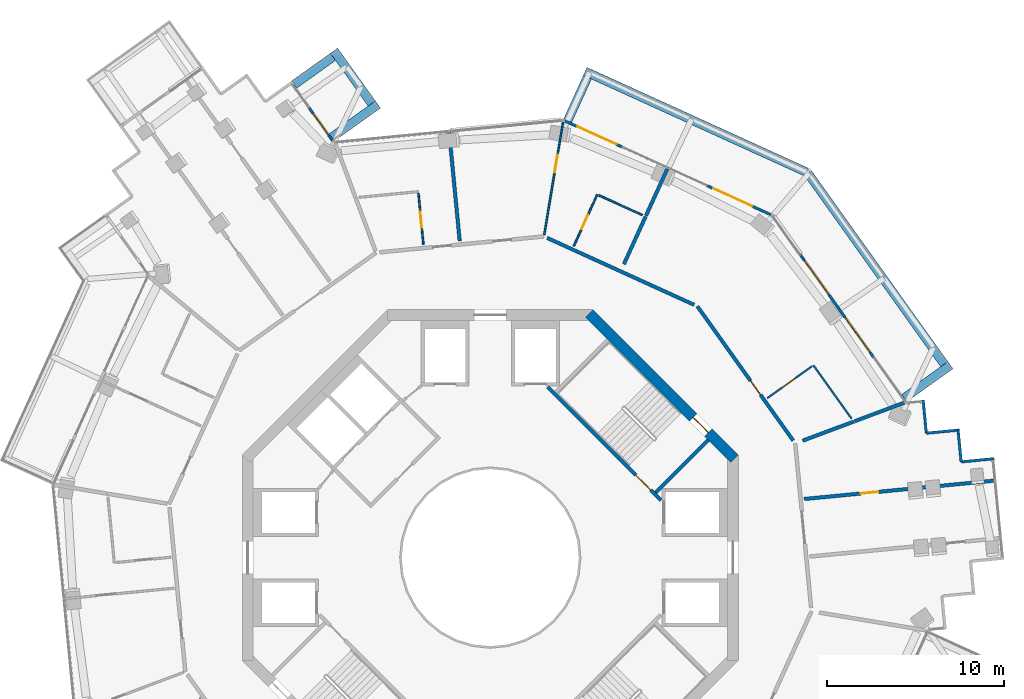
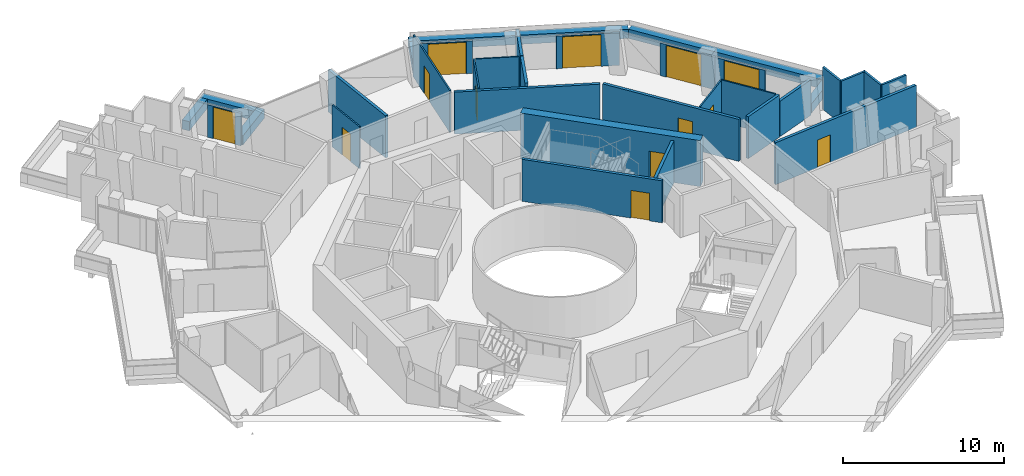
# One storey, part 19 of 22: 33 walls, 13 doors, 13 openings.
"""IFC4 building model written with IfcOpenShell, lengths in metres."""

from ifc_helpers import new_model, si_unit, direction, frame, frame_2d, origin, place, context, subcontext, project, spatial, rectangle, extrude, material, layer, layer_set, type_object, element, fill, save


model = new_model("IFC4")

# Units and contexts
model_context = context("Model", 3, precision=1e-05, world=origin(), true_north=direction((0.0, 1.0)))
body_context = subcontext(model_context, "Body", "Model", "MODEL_VIEW")
ifc_project = project(units=[si_unit("LENGTHUNIT", "METRE"), si_unit("AREAUNIT", "SQUARE_METRE"), si_unit("VOLUMEUNIT", "CUBIC_METRE"), si_unit("PLANEANGLEUNIT", "RADIAN"), si_unit("MASSUNIT", "GRAM", prefix="KILO")], contexts=[model_context])

# Site, building, storey
site_placement = place(None, origin())
site = spatial("IfcSite", under=ifc_project, at=site_placement, CompositionType="ELEMENT")
building_placement = place(site_placement, origin())
building = spatial("IfcBuilding", under=site, at=building_placement, Name="Verdalira Terraces Hotel", CompositionType="ELEMENT")
storey_placement = place(building_placement, frame((0.0, 0.0, 180.0)))
storey = spatial("IfcBuildingStorey", under=building, at=storey_placement, Name="L43", CompositionType="ELEMENT", Elevation=180.0)

# Walls
ifc_material_1 = material(Name="Concrete C40", Category="concrete")
ifc_layer_1 = layer(ifc_material_1, 0.5)
ifc_layer_set_1 = layer_set([ifc_layer_1], Name="Balcony planter trough with tree")
wall_type_1 = type_object("IfcWallType", Name="Balcony planter trough with tree", PredefinedType="SOLIDWALL", material=ifc_layer_set_1)
wall_1_placement = place(storey_placement, frame((23.376221, 9.007324, 0.0), z_axis=(0.0, 0.0, 1.0), x_axis=(0.813882991, 0.581028808, 0.0)))
element("IfcWall", 1, at=wall_1_placement, inside=storey, type_object=wall_type_1, Name="Balcony planter", PredefinedType="SOLIDWALL", context=body_context, shape_type="SweptSolid", body=[
    extrude(rectangle(XDim=3.198975, YDim=0.5, at=frame_2d((1.599609, 0.0))), origin(), (0.0, 0.0, 1.0), 0.699951),
])
wall_2_placement = place(storey_placement, frame((25.631104, 10.924316, 0.0), z_axis=(0.0, 0.0, 1.0), x_axis=(-0.580986673, 0.81391307, 0.0)))
element("IfcWall", 2, at=wall_2_placement, inside=storey, type_object=wall_type_1, Name="Balcony planter", PredefinedType="SOLIDWALL", context=body_context, shape_type="SweptSolid", body=[
    extrude(rectangle(XDim=13.223389, YDim=0.5, at=frame_2d((6.611816, 0.0))), origin(), (0.0, 0.0, 1.0), 0.699951),
])
wall_3_placement = place(storey_placement, frame((17.848633, 21.769287, 0.0), z_axis=(0.0, 0.0, 1.0), x_axis=(-0.910109197, 0.414368494, 0.0)))
element("IfcWall", 3, at=wall_3_placement, inside=storey, type_object=wall_type_1, Name="Balcony planter", PredefinedType="SOLIDWALL", context=body_context, shape_type="SweptSolid", body=[
    extrude(rectangle(XDim=13.723389, YDim=0.5, at=frame_2d((6.861816, 0.0))), origin(), (0.0, 0.0, 1.0), 0.699951),
])
wall_4_placement = place(storey_placement, frame((5.482666, 27.124756, 0.0), z_axis=(0.0, 0.0, 1.0), x_axis=(-0.414388978, -0.910099871, 0.0)))
element("IfcWall", 4, at=wall_4_placement, inside=storey, type_object=wall_type_1, Name="Balcony planter", PredefinedType="SOLIDWALL", context=body_context, shape_type="SweptSolid", body=[
    extrude(rectangle(XDim=2.698975, YDim=0.5, at=frame_2d((1.349609, 0.0))), origin(), (0.0, 0.0, 1.0), 0.699951),
])
wall_5_placement = place(storey_placement, frame((-8.947754, 23.724609, 0.0), z_axis=(0.0, 0.0, 1.0), x_axis=(0.813908754, 0.580992719, 0.0)))
element("IfcWall", 5, at=wall_5_placement, inside=storey, type_object=wall_type_1, Name="Balcony planter", PredefinedType="SOLIDWALL", context=body_context, shape_type="SweptSolid", body=[
    extrude(rectangle(XDim=3.198975, YDim=0.5, at=frame_2d((1.599609, 0.0))), origin(), (0.0, 0.0, 1.0), 0.699951),
])
wall_6_placement = place(storey_placement, frame((-6.692871, 25.641357, 0.0), z_axis=(0.0, 0.0, 1.0), x_axis=(-0.580960956, 0.813931427, 0.0)))
element("IfcWall", 6, at=wall_6_placement, inside=storey, type_object=wall_type_1, Name="Balcony planter", PredefinedType="SOLIDWALL", context=body_context, shape_type="SweptSolid", body=[
    extrude(rectangle(XDim=3.665771, YDim=0.5, at=frame_2d((1.833008, 0.0))), origin(), (0.0, 0.0, 1.0), 0.699951),
])
wall_7_placement = place(storey_placement, frame((-8.880859, 28.276367, 0.0), z_axis=(0.0, 0.0, 1.0), x_axis=(-0.813910676, -0.580990028, 0.0)))
element("IfcWall", 7, at=wall_7_placement, inside=storey, type_object=wall_type_1, Name="Balcony planter", PredefinedType="SOLIDWALL", context=body_context, shape_type="SweptSolid", body=[
    extrude(rectangle(XDim=2.698975, YDim=0.5, at=frame_2d((1.349609, 0.0))), origin(), (0.0, 0.0, 1.0), 0.699951),
])

# Wall, opening, door
ifc_material_2 = material(Name="Moisture-resistant gypsum board partition")
ifc_layer_2 = layer(ifc_material_2, 0.10009765625)
ifc_layer_set_2 = layer_set([ifc_layer_2], Name="Bathroom partition 100 mm")
wall_type_2 = type_object("IfcWallType", Name="Bathroom partition 100 mm", PredefinedType="PARTITIONING", material=ifc_layer_set_2)
wall_8_placement = place(storey_placement, frame((-3.776367, 17.677002, 0.0), z_axis=(0.0, 0.0, 1.0), x_axis=(-0.096135868, 0.995368221, 0.0)))
wall_8 = element("IfcWall", 8, at=wall_8_placement, inside=storey, type_object=wall_type_2, Name="Bathroom partition", PredefinedType="PARTITIONING", context=body_context, shape_type="SweptSolid", body=[
    extrude(rectangle(XDim=2.900146, YDim=0.100098, at=frame_2d((1.450195, 0.0))), origin(), (0.0, 0.0, 1.0), 3.189941),
])
opening_1_placement = place(wall_8_placement, frame((0.949951, 0.0, 0.0)))
opening_1 = element("IfcOpeningElement", 9, at=opening_1_placement, cuts=wall_8, Name="Opening L43-131", PredefinedType="OPENING", context=body_context, shape_type="SweptSolid", body=[
    extrude(rectangle(XDim=0.899902, YDim=2.100098, at=frame_2d((0.449951, 1.050049))), frame((0.0, 0.060059, 0.0), z_axis=(0.0, -1.0, 0.0), x_axis=(1.0, 0.0, 0.0)), (0.0, 0.0, 1.0), 0.120117),
])
ifc_material_3 = material(Name="Timber door", Category="wood")
door_type_1 = type_object("IfcDoorType", Name="Bathroom door 900 x 2100", OperationType="NOTDEFINED", PredefinedType="DOOR", material=ifc_material_3)
door_1_placement = place(opening_1_placement, origin())
door_1 = element("IfcDoor", 10, at=door_1_placement, inside=storey, type_object=door_type_1, Name="Bathroom door 4311", OperationType="SINGLE_SWING_RIGHT", OverallHeight=2.10009765625, OverallWidth=0.89990234375, PredefinedType="DOOR", context=body_context, shape_type="SweptSolid", body=[
    extrude(rectangle(XDim=0.899902, YDim=2.100098, at=frame_2d((0.449951, 1.050049))), frame((0.0, 0.024902, 0.0), z_axis=(0.0, -1.0, 0.0), x_axis=(1.0, 0.0, 0.0)), (0.0, 0.0, 1.0), 0.050049),
])
fill(opening_1, door_1)

wall_9_placement = place(storey_placement, frame((4.111816, 24.623047, 0.0), z_axis=(0.0, 0.0, 1.0), x_axis=(-0.164716892, -0.986340887, 0.0)))
wall_9 = element("IfcWall", 11, at=wall_9_placement, inside=storey, type_object=wall_type_2, Name="Bathroom partition", PredefinedType="PARTITIONING", context=body_context, shape_type="SweptSolid", body=[
    extrude(rectangle(XDim=6.475586, YDim=0.100098, at=frame_2d((3.237793, 0.0))), origin(), (0.0, 0.0, 1.0), 3.189941),
])
opening_2_placement = place(wall_9_placement, frame((1.899902, 0.0, 0.0)))
opening_2 = element("IfcOpeningElement", 12, at=opening_2_placement, cuts=wall_9, Name="Opening L43-128", PredefinedType="OPENING", context=body_context, shape_type="SweptSolid", body=[
    extrude(rectangle(XDim=1.0, YDim=2.100098, at=frame_2d((0.5, 1.050049))), frame((0.0, 0.060059, 0.0), z_axis=(0.0, -1.0, 0.0), x_axis=(1.0, 0.0, 0.0)), (0.0, 0.0, 1.0), 0.120117),
])
ifc_material_4 = material(Name="Timber door", Category="wood")
door_type_2 = type_object("IfcDoorType", Name="Suite internal door 1000 x 2100", OperationType="NOTDEFINED", PredefinedType="DOOR", material=ifc_material_4)
door_2_placement = place(opening_2_placement, origin())
door_2 = element("IfcDoor", 13, at=door_2_placement, inside=storey, type_object=door_type_2, Name="Suite internal door 4310", OperationType="SINGLE_SWING_LEFT", OverallHeight=2.10009765625, OverallWidth=1.0, PredefinedType="DOOR", context=body_context, shape_type="SweptSolid", body=[
    extrude(rectangle(XDim=1.0, YDim=2.100098, at=frame_2d((0.5, 1.050049))), frame((0.0, 0.024902, 0.0), z_axis=(0.0, -1.0, 0.0), x_axis=(1.0, 0.0, 0.0)), (0.0, 0.0, 1.0), 0.050049),
])
fill(opening_2, door_2)

wall_10_placement = place(storey_placement, frame((6.037109, 20.499512, 0.0), z_axis=(0.0, 0.0, 1.0), x_axis=(-0.414354696, -0.910115479, 0.0)))
wall_10 = element("IfcWall", 14, at=wall_10_placement, inside=storey, type_object=wall_type_2, Name="Bathroom partition", PredefinedType="PARTITIONING", context=body_context, shape_type="SweptSolid", body=[
    extrude(rectangle(XDim=3.199951, YDim=0.100098, at=frame_2d((1.600098, 0.0))), origin(), (0.0, 0.0, 1.0), 3.189941),
])
opening_3_placement = place(wall_10_placement, frame((1.25, 0.0, 0.0)))
opening_3 = element("IfcOpeningElement", 15, at=opening_3_placement, cuts=wall_10, Name="Opening L43-129", PredefinedType="OPENING", context=body_context, shape_type="SweptSolid", body=[
    extrude(rectangle(XDim=0.899902, YDim=2.100098, at=frame_2d((0.449951, 1.050049))), frame((0.0, 0.060059, 0.0), z_axis=(0.0, -1.0, 0.0), x_axis=(1.0, 0.0, 0.0)), (0.0, 0.0, 1.0), 0.120117),
])
door_3_placement = place(opening_3_placement, origin())
door_3 = element("IfcDoor", 16, at=door_3_placement, inside=storey, type_object=door_type_1, Name="Bathroom door 4310", OperationType="SINGLE_SWING_LEFT", OverallHeight=2.10009765625, OverallWidth=0.89990234375, PredefinedType="DOOR", context=body_context, shape_type="SweptSolid", body=[
    extrude(rectangle(XDim=0.899902, YDim=2.100098, at=frame_2d((0.449951, 1.050049))), frame((0.0, 0.024902, 0.0), z_axis=(0.0, -1.0, 0.0), x_axis=(1.0, 0.0, 0.0)), (0.0, 0.0, 1.0), 0.050049),
])
fill(opening_3, door_3)

# Wall
wall_11_placement = place(storey_placement, frame((8.585449, 19.339111, 0.0), z_axis=(0.0, 0.0, 1.0), x_axis=(-0.910093777, 0.414402362, 0.0)))
element("IfcWall", 17, at=wall_11_placement, inside=storey, type_object=wall_type_2, Name="Bathroom partition", PredefinedType="PARTITIONING", context=body_context, shape_type="SweptSolid", body=[
    extrude(rectangle(XDim=2.699951, YDim=0.100098, at=frame_2d((1.350098, 0.0))), origin(), (0.0, 0.0, 1.0), 3.189941),
])

# Wall, opening, door
wall_12_placement = place(storey_placement, frame((18.161133, 10.803467, 0.0), z_axis=(0.0, 0.0, 1.0), x_axis=(-0.813898407, -0.581007214, 0.0)))
wall_12 = element("IfcWall", 18, at=wall_12_placement, inside=storey, type_object=wall_type_2, Name="Bathroom partition", PredefinedType="PARTITIONING", context=body_context, shape_type="SweptSolid", body=[
    extrude(rectangle(XDim=3.099854, YDim=0.100098, at=frame_2d((1.549805, 0.0))), origin(), (0.0, 0.0, 1.0), 3.189941),
])
opening_4_placement = place(wall_12_placement, frame((1.149902, 0.0, 0.0)))
opening_4 = element("IfcOpeningElement", 19, at=opening_4_placement, cuts=wall_12, Name="Opening L43-126", PredefinedType="OPENING", context=body_context, shape_type="SweptSolid", body=[
    extrude(rectangle(XDim=0.899902, YDim=2.100098, at=frame_2d((0.449951, 1.050049))), frame((0.0, 0.060059, 0.0), z_axis=(0.0, -1.0, 0.0), x_axis=(1.0, 0.0, 0.0)), (0.0, 0.0, 1.0), 0.120117),
])
door_4_placement = place(opening_4_placement, origin())
door_4 = element("IfcDoor", 20, at=door_4_placement, inside=storey, type_object=door_type_1, Name="Bathroom door 4309", OperationType="SINGLE_SWING_LEFT", OverallHeight=2.10009765625, OverallWidth=0.89990234375, PredefinedType="DOOR", context=body_context, shape_type="SweptSolid", body=[
    extrude(rectangle(XDim=0.899902, YDim=2.100098, at=frame_2d((0.449951, 1.050049))), frame((0.0, 0.024902, 0.0), z_axis=(0.0, -1.0, 0.0), x_axis=(1.0, 0.0, 0.0)), (0.0, 0.0, 1.0), 0.050049),
])
fill(opening_4, door_4)

# Wall
wall_13_placement = place(storey_placement, frame((18.242676, 10.861572, 0.0), z_axis=(0.0, 0.0, 1.0), x_axis=(0.580976284, -0.813920486, 0.0)))
element("IfcWall", 21, at=wall_13_placement, inside=storey, type_object=wall_type_2, Name="Bathroom partition", PredefinedType="PARTITIONING", context=body_context, shape_type="SweptSolid", body=[
    extrude(rectangle(XDim=3.703857, YDim=0.100098, at=frame_2d((1.852051, 0.0))), origin(), (0.0, 0.0, 1.0), 3.189941),
])

# Wall, opening, door
ifc_material_5 = material(Name="Concrete C50", Category="concrete")
ifc_layer_3 = layer(ifc_material_5, 0.199951171875)
ifc_layer_set_3 = layer_set([ifc_layer_3], Name="Core RC wall 200 C50")
wall_type_3 = type_object("IfcWallType", Name="Core RC wall 200 C50", PredefinedType="SOLIDWALL", material=ifc_layer_set_3)
wall_14_placement = place(storey_placement, frame((3.23999, 9.629395, 0.0), z_axis=(0.0, 0.0, 1.0), x_axis=(0.707106781, -0.707106781, 0.0)))
wall_14 = element("IfcWall", 22, at=wall_14_placement, inside=storey, type_object=wall_type_3, Name="L43 stair ST1 front wall", PredefinedType="SOLIDWALL", context=body_context, shape_type="SweptSolid", body=[
    extrude(rectangle(XDim=9.035889, YDim=0.199951, at=frame_2d((4.518066, 0.0))), origin(), (0.0, 0.0, 1.0), 3.189941),
])
opening_5_placement = place(wall_14_placement, frame((7.017822, 0.0, 0.0)))
opening_5 = element("IfcOpeningElement", 23, at=opening_5_placement, cuts=wall_14, Name="Opening L43-810", PredefinedType="OPENING", context=body_context, shape_type="SweptSolid", body=[
    extrude(rectangle(XDim=1.199951, YDim=2.100098, at=frame_2d((0.600098, 1.050049))), frame((0.0, 0.109863, 0.0), z_axis=(0.0, -1.0, 0.0), x_axis=(1.0, 0.0, 0.0)), (0.0, 0.0, 1.0), 0.219971),
])
ifc_material_6 = material(Name="Steel fire door", Category="steel")
door_type_3 = type_object("IfcDoorType", Name="Stair door 1200 x 2100", OperationType="NOTDEFINED", PredefinedType="DOOR", material=ifc_material_6)
door_5_placement = place(opening_5_placement, origin())
door_5 = element("IfcDoor", 24, at=door_5_placement, inside=storey, type_object=door_type_3, Name="Stair door ST1 L43", OperationType="SINGLE_SWING_RIGHT", OverallHeight=2.10009765625, OverallWidth=1.199951171875, PredefinedType="DOOR", context=body_context, shape_type="SweptSolid", body=[
    extrude(rectangle(XDim=1.199951, YDim=2.100098, at=frame_2d((0.600098, 1.050049))), frame((0.0, 0.024902, 0.0), z_axis=(0.0, -1.0, 0.0), x_axis=(1.0, 0.0, 0.0)), (0.0, 0.0, 1.0), 0.050049),
])
fill(opening_5, door_5)

# Wall
wall_15_placement = place(storey_placement, frame((9.33374, 3.677002, 0.0), z_axis=(0.0, 0.0, 1.0), x_axis=(0.707135845, 0.707077716, 0.0)))
element("IfcWall", 25, at=wall_15_placement, inside=storey, type_object=wall_type_3, Name="L43 stair ST1 end wall 1", PredefinedType="SOLIDWALL", context=body_context, shape_type="SweptSolid", body=[
    extrude(rectangle(XDim=4.199951, YDim=0.199951, at=frame_2d((2.100098, 0.0))), origin(), (0.0, 0.0, 1.0), 3.189941),
])

# Wall, opening, door
ifc_material_7 = material(Name="Concrete C60", Category="concrete")
ifc_layer_4 = layer(ifc_material_7, 0.60009765625)
ifc_layer_set_4 = layer_set([ifc_layer_4], Name="Core wall 600 C60")
wall_type_4 = type_object("IfcWallType", Name="Core wall 600 C60", PredefinedType="SHEAR", material=ifc_layer_set_4)
wall_16_placement = place(storey_placement, frame((13.787842, 5.586914, 0.0), z_axis=(0.0, 0.0, 1.0), x_axis=(-0.707106781, 0.707106781, 0.0)))
wall_16 = element("IfcWall", 26, at=wall_16_placement, inside=storey, type_object=wall_type_4, Name="Core wall CW-L43-2", PredefinedType="SHEAR", context=body_context, shape_type="SweptSolid", body=[
    extrude(rectangle(XDim=11.5979, YDim=0.600098, at=frame_2d((5.798828, 0.0))), origin(), (0.0, 0.0, 1.0), 3.5),
])
opening_6_placement = place(wall_16_placement, frame((2.099121, 0.0, 0.0)))
opening_6 = element("IfcOpeningElement", 27, at=opening_6_placement, cuts=wall_16, Name="Opening L43-816", PredefinedType="OPENING", context=body_context, shape_type="SweptSolid", body=[
    extrude(rectangle(XDim=1.199951, YDim=2.100098, at=frame_2d((0.600098, 1.050049))), frame((0.0, 0.310059, 0.0), z_axis=(0.0, -1.0, 0.0), x_axis=(1.0, 0.0, 0.0)), (0.0, 0.0, 1.0), 0.620117),
])
door_6_placement = place(opening_6_placement, origin())
door_6 = element("IfcDoor", 28, at=door_6_placement, inside=storey, type_object=door_type_3, Name="Stair exit door ST1 L43", OperationType="SINGLE_SWING_LEFT", OverallHeight=2.10009765625, OverallWidth=1.199951171875, PredefinedType="DOOR", context=body_context, shape_type="SweptSolid", body=[
    extrude(rectangle(XDim=1.199951, YDim=2.100098, at=frame_2d((0.600098, 1.050049))), frame((0.0, 0.024902, 0.0), z_axis=(0.0, -1.0, 0.0), x_axis=(1.0, 0.0, 0.0)), (0.0, 0.0, 1.0), 0.050049),
])
fill(opening_6, door_6)

# Walls
ifc_material_8 = material(Name="Fire-rated gypsum board wall")
ifc_layer_5 = layer(ifc_material_8, 0.199951171875)
ifc_layer_set_5 = layer_set([ifc_layer_5], Name="Demising wall 200 mm")
wall_type_5 = type_object("IfcWallType", Name="Demising wall 200 mm", PredefinedType="SOLIDWALL", material=ifc_layer_set_5)
wall_17_placement = place(storey_placement, frame((-1.727539, 17.875, 0.0), z_axis=(0.0, 0.0, 1.0), x_axis=(-0.096185909, 0.995363386, 0.0)))
element("IfcWall", 29, at=wall_17_placement, inside=storey, type_object=wall_type_5, Name="Demising wall", PredefinedType="SOLIDWALL", context=body_context, shape_type="SweptSolid", body=[
    extrude(rectangle(XDim=6.150146, YDim=0.199951, at=frame_2d((3.075195, 0.0))), origin(), (0.0, 0.0, 1.0), 3.189941),
])
wall_18_placement = place(storey_placement, frame((7.543945, 16.569092, 0.0), z_axis=(0.0, 0.0, 1.0), x_axis=(0.414394291, 0.910097452, 0.0)))
element("IfcWall", 30, at=wall_18_placement, inside=storey, type_object=wall_type_5, Name="Demising wall", PredefinedType="SOLIDWALL", context=body_context, shape_type="SweptSolid", body=[
    extrude(rectangle(XDim=2.95459, YDim=0.199951, at=frame_2d((1.477295, 0.0))), origin(), (0.0, 0.0, 1.0), 3.189941),
])
wall_19_placement = place(storey_placement, frame((8.787354, 19.300049, 0.0), z_axis=(0.0, 0.0, 1.0), x_axis=(0.414411335, 0.910089691, 0.0)))
element("IfcWall", 31, at=wall_19_placement, inside=storey, type_object=wall_type_5, Name="Demising wall", PredefinedType="SOLIDWALL", context=body_context, shape_type="SweptSolid", body=[
    extrude(rectangle(XDim=2.9021, YDim=0.199951, at=frame_2d((1.451172, 0.0))), origin(), (0.0, 0.0, 1.0), 3.189941),
])
wall_20_placement = place(storey_placement, frame((17.637207, 6.601318, 0.0), z_axis=(0.0, 0.0, 1.0), x_axis=(0.936531348, 0.350583848, 0.0)))
element("IfcWall", 32, at=wall_20_placement, inside=storey, type_object=wall_type_5, Name="Demising wall", PredefinedType="SOLIDWALL", context=body_context, shape_type="SweptSolid", body=[
    extrude(rectangle(XDim=3.074463, YDim=0.199951, at=frame_2d((1.537109, 0.0))), origin(), (0.0, 0.0, 1.0), 3.189941),
])

# Wall, opening, door
wall_21_placement = place(storey_placement, frame((17.722168, 3.309082, 0.0), z_axis=(0.0, 0.0, 1.0), x_axis=(0.995363981, 0.096179759, 0.0)))
wall_21 = element("IfcWall", 33, at=wall_21_placement, inside=storey, type_object=wall_type_5, Name="Demising wall", PredefinedType="SOLIDWALL", context=body_context, shape_type="SweptSolid", body=[
    extrude(rectangle(XDim=10.75, YDim=0.199951, at=frame_2d((5.375, 0.0))), origin(), (0.0, 0.0, 1.0), 3.189941),
])
opening_7_placement = place(wall_21_placement, frame((3.199951, 0.0, 0.0)))
opening_7 = element("IfcOpeningElement", 34, at=opening_7_placement, cuts=wall_21, Name="Opening L43-124", PredefinedType="OPENING", context=body_context, shape_type="SweptSolid", body=[
    extrude(rectangle(XDim=1.0, YDim=2.100098, at=frame_2d((0.5, 1.050049))), frame((0.0, 0.109863, 0.0), z_axis=(0.0, -1.0, 0.0), x_axis=(1.0, 0.0, 0.0)), (0.0, 0.0, 1.0), 0.219971),
])
ifc_material_9 = material(Name="Timber fire door", Category="wood")
door_type_4 = type_object("IfcDoorType", Name="Public room door 1000 x 2100", OperationType="NOTDEFINED", PredefinedType="DOOR", material=ifc_material_9)
door_7_placement = place(opening_7_placement, origin())
door_7 = element("IfcDoor", 35, at=door_7_placement, inside=storey, type_object=door_type_4, Name="Public room door 4308", OperationType="SINGLE_SWING_LEFT", OverallHeight=2.10009765625, OverallWidth=1.0, PredefinedType="DOOR", context=body_context, shape_type="SweptSolid", body=[
    extrude(rectangle(XDim=1.0, YDim=2.100098, at=frame_2d((0.5, 1.050049))), frame((0.0, 0.024902, 0.0), z_axis=(0.0, -1.0, 0.0), x_axis=(1.0, 0.0, 0.0)), (0.0, 0.0, 1.0), 0.050049),
])
fill(opening_7, door_7)

# Walls
ifc_material_10 = material(Name="Fire-rated gypsum board wall")
ifc_layer_6 = layer(ifc_material_10, 0.199951171875)
ifc_layer_set_6 = layer_set([ifc_layer_6], Name="Demising wall 200 mm to beam soffit")
wall_type_6 = type_object("IfcWallType", Name="Demising wall 200 mm to beam soffit", PredefinedType="SOLIDWALL", material=ifc_layer_set_6)
wall_22_placement = place(storey_placement, frame((20.559814, 7.695312, 0.0), z_axis=(0.0, 0.0, 1.0), x_axis=(0.93656885, 0.350483651, 0.0)))
element("IfcWall", 36, at=wall_22_placement, inside=storey, type_object=wall_type_6, Name="Demising wall", PredefinedType="SOLIDWALL", context=body_context, shape_type="SweptSolid", body=[
    extrude(rectangle(XDim=3.01123, YDim=0.199951, at=frame_2d((1.505615, 0.0))), origin(), (0.0, 0.0, 1.0), 2.689941),
])
ifc_material_11 = material(Name="Fire-rated gypsum board wall")
ifc_layer_7 = layer(ifc_material_11, 0.199951171875)
ifc_layer_set_7 = layer_set([ifc_layer_7], Name="Guest corridor wall 200 mm")
wall_type_7 = type_object("IfcWallType", Name="Guest corridor wall 200 mm", PredefinedType="SOLIDWALL", material=ifc_layer_set_7)
wall_23_placement = place(storey_placement, frame((11.506592, 14.273193, 0.0), z_axis=(0.0, 0.0, 1.0), x_axis=(-0.910097551, 0.414394073, 0.0)))
element("IfcWall", 37, at=wall_23_placement, inside=storey, type_object=wall_type_7, Name="Guest corridor wall", PredefinedType="SOLIDWALL", context=body_context, shape_type="SweptSolid", body=[
    extrude(rectangle(XDim=9.115967, YDim=0.199951, at=frame_2d((4.558105, 0.0))), origin(), (0.0, 0.0, 1.0), 3.189941),
])

# Wall, opening, door
wall_24_placement = place(storey_placement, frame((11.689453, 14.189697, 0.0), z_axis=(0.0, 0.0, 1.0), x_axis=(0.581002663, -0.813901656, 0.0)))
wall_24 = element("IfcWall", 38, at=wall_24_placement, inside=storey, type_object=wall_type_7, Name="Guest corridor wall", PredefinedType="SOLIDWALL", context=body_context, shape_type="SweptSolid", body=[
    extrude(rectangle(XDim=9.315918, YDim=0.199951, at=frame_2d((4.657959, 0.0))), origin(), (0.0, 0.0, 1.0), 3.189941),
])
opening_8_placement = place(wall_24_placement, frame((5.149902, 0.0, 0.0)))
opening_8 = element("IfcOpeningElement", 39, at=opening_8_placement, cuts=wall_24, Name="Opening L43-125", PredefinedType="OPENING", context=body_context, shape_type="SweptSolid", body=[
    extrude(rectangle(XDim=1.0, YDim=2.100098, at=frame_2d((0.5, 1.050049))), frame((0.0, 0.109863, 0.0), z_axis=(0.0, -1.0, 0.0), x_axis=(1.0, 0.0, 0.0)), (0.0, 0.0, 1.0), 0.219971),
])
ifc_material_12 = material(Name="Timber fire door", Category="wood")
door_type_5 = type_object("IfcDoorType", Name="Guest entry door 1000 x 2100", OperationType="NOTDEFINED", PredefinedType="DOOR", material=ifc_material_12)
door_8_placement = place(opening_8_placement, origin())
door_8 = element("IfcDoor", 40, at=door_8_placement, inside=storey, type_object=door_type_5, Name="Guest entry door 4309", OperationType="SINGLE_SWING_LEFT", OverallHeight=2.10009765625, OverallWidth=1.0, PredefinedType="DOOR", context=body_context, shape_type="SweptSolid", body=[
    extrude(rectangle(XDim=1.0, YDim=2.100098, at=frame_2d((0.5, 1.050049))), frame((0.0, 0.024902, 0.0), z_axis=(0.0, -1.0, 0.0), x_axis=(1.0, 0.0, 0.0)), (0.0, 0.0, 1.0), 0.050049),
])
fill(opening_8, door_8)

# Walls
ifc_material_13 = material(Name="Terracotta cladding", Category="masonry")
ifc_layer_8 = layer(ifc_material_13, 0.14990234375)
ifc_layer_set_8 = layer_set([ifc_layer_8], Name="Terracotta clad wall 150")
wall_type_8 = type_object("IfcWallType", Name="Terracotta clad wall 150", PredefinedType="SOLIDWALL", material=ifc_layer_set_8)
wall_25_placement = place(storey_placement, frame((28.452881, 5.587891, 0.0), z_axis=(0.0, 0.0, 1.0), x_axis=(-0.995360477, -0.09621601, 0.0)))
element("IfcWall", 41, at=wall_25_placement, inside=storey, type_object=wall_type_8, Name="Terracotta cladding wall", PredefinedType="SOLIDWALL", context=body_context, shape_type="SweptSolid", body=[
    extrude(rectangle(XDim=1.875244, YDim=0.149902, at=frame_2d((0.9375, 0.0))), origin(), (0.0, 0.0, 1.0), 3.189941),
])
wall_26_placement = place(storey_placement, frame((26.586426, 5.407471, 0.0), z_axis=(0.0, 0.0, 1.0), x_axis=(-0.096159484, 0.99536594, 0.0)))
element("IfcWall", 42, at=wall_26_placement, inside=storey, type_object=wall_type_8, Name="Terracotta cladding wall", PredefinedType="SOLIDWALL", context=body_context, shape_type="SweptSolid", body=[
    extrude(rectangle(XDim=1.800049, YDim=0.149902, at=frame_2d((0.899902, 0.0))), origin(), (0.0, 0.0, 1.0), 3.189941),
])
wall_27_placement = place(storey_placement, frame((26.488037, 7.206299, 0.0), z_axis=(0.0, 0.0, 1.0), x_axis=(-0.995372938, -0.096087015, 0.0)))
element("IfcWall", 43, at=wall_27_placement, inside=storey, type_object=wall_type_8, Name="Terracotta cladding wall", PredefinedType="SOLIDWALL", context=body_context, shape_type="SweptSolid", body=[
    extrude(rectangle(XDim=1.875244, YDim=0.149902, at=frame_2d((0.9375, 0.0))), origin(), (0.0, 0.0, 1.0), 3.189941),
])
wall_28_placement = place(storey_placement, frame((24.621582, 7.026123, 0.0), z_axis=(0.0, 0.0, 1.0), x_axis=(-0.096099469, 0.995371736, 0.0)))
element("IfcWall", 44, at=wall_28_placement, inside=storey, type_object=wall_type_8, Name="Terracotta cladding wall", PredefinedType="SOLIDWALL", context=body_context, shape_type="SweptSolid", body=[
    extrude(rectangle(XDim=1.875, YDim=0.149902, at=frame_2d((0.9375, 0.0))), origin(), (0.0, 0.0, 1.0), 3.189941),
])

# Wall, opening, door
ifc_material_14 = material(Name="Terracotta cladding", Category="masonry")
ifc_layer_9 = layer(ifc_material_14, 0.14990234375)
ifc_layer_set_9 = layer_set([ifc_layer_9], Name="Terracotta door pier 150")
wall_type_9 = type_object("IfcWallType", Name="Terracotta door pier 150", PredefinedType="SOLIDWALL", material=ifc_layer_set_9)
wall_29_placement = place(storey_placement, frame((-8.905029, 23.533936, 0.0), z_axis=(0.0, 0.0, 1.0), x_axis=(-0.580977513, 0.813919609, 0.0)))
wall_29 = element("IfcWall", 45, at=wall_29_placement, inside=storey, type_object=wall_type_9, Name="Terracotta door pier", PredefinedType="SOLIDWALL", context=body_context, shape_type="SweptSolid", body=[
    extrude(rectangle(XDim=2.303711, YDim=0.149902, at=frame_2d((1.151855, 0.0))), origin(), (0.0, 0.0, 1.0), 2.475098),
])
opening_9_placement = place(wall_29_placement, frame((0.403564, 0.0, 0.0)))
opening_9 = element("IfcOpeningElement", 46, at=opening_9_placement, cuts=wall_29, Name="Opening L43-B01", PredefinedType="OPENING", context=body_context, shape_type="SweptSolid", body=[
    extrude(rectangle(XDim=1.5, YDim=2.399902, at=frame_2d((0.75, 1.199951))), frame((0.0, 0.084961, 0.0), z_axis=(0.0, -1.0, 0.0), x_axis=(1.0, 0.0, 0.0)), (0.0, 0.0, 1.0), 0.169922),
])
ifc_material_15 = material(Name="Clear glass", Category="glass")
door_type_6 = type_object("IfcDoorType", Name="Balcony sliding door 1500x2400", OperationType="NOTDEFINED", PredefinedType="DOOR", material=ifc_material_15)
door_9_placement = place(opening_9_placement, origin())
door_9 = element("IfcDoor", 47, at=door_9_placement, inside=storey, type_object=door_type_6, Name="Balcony sliding door", OperationType="SLIDING_TO_LEFT", OverallHeight=2.39990234375, OverallWidth=1.5, PredefinedType="DOOR", context=body_context, shape_type="SweptSolid", body=[
    extrude(rectangle(XDim=1.5, YDim=2.399902, at=frame_2d((0.75, 1.199951))), frame((0.0, 0.024902, 0.0), z_axis=(0.0, -1.0, 0.0), x_axis=(1.0, 0.0, 0.0)), (0.0, 0.0, 1.0), 0.050049),
])
fill(opening_9, door_9)

wall_30_placement = place(storey_placement, frame((21.658447, 11.282959, 0.0), z_axis=(0.0, 0.0, 1.0), x_axis=(-0.580980052, 0.813917796, 0.0)))
wall_30 = element("IfcWall", 48, at=wall_30_placement, inside=storey, type_object=wall_type_9, Name="Terracotta door pier", PredefinedType="SOLIDWALL", context=body_context, shape_type="SweptSolid", body=[
    extrude(rectangle(XDim=3.399902, YDim=0.149902, at=frame_2d((1.699951, 0.0))), origin(), (0.0, 0.0, 1.0), 2.475098),
])
opening_10_placement = place(wall_30_placement, frame((0.399902, 0.0, 0.0)))
opening_10 = element("IfcOpeningElement", 49, at=opening_10_placement, cuts=wall_30, Name="Opening L43-B11", PredefinedType="OPENING", context=body_context, shape_type="SweptSolid", body=[
    extrude(rectangle(XDim=2.399902, YDim=2.399902, at=frame_2d((1.199951, 1.199951))), frame((0.0, 0.084961, 0.0), z_axis=(0.0, -1.0, 0.0), x_axis=(1.0, 0.0, 0.0)), (0.0, 0.0, 1.0), 0.169922),
])
ifc_material_16 = material(Name="Clear glass", Category="glass")
door_type_7 = type_object("IfcDoorType", Name="Balcony sliding door 2400x2400", OperationType="NOTDEFINED", PredefinedType="DOOR", material=ifc_material_16)
door_10_placement = place(opening_10_placement, origin())
door_10 = element("IfcDoor", 50, at=door_10_placement, inside=storey, type_object=door_type_7, Name="Balcony sliding door", OperationType="SLIDING_TO_RIGHT", OverallHeight=2.39990234375, OverallWidth=2.39990234375, PredefinedType="DOOR", context=body_context, shape_type="SweptSolid", body=[
    extrude(rectangle(XDim=2.399902, YDim=2.399902, at=frame_2d((1.199951, 1.199951))), frame((0.0, 0.024902, 0.0), z_axis=(0.0, -1.0, 0.0), x_axis=(1.0, 0.0, 0.0)), (0.0, 0.0, 1.0), 0.050049),
])
fill(opening_10, door_10)

wall_31_placement = place(storey_placement, frame((19.683105, 14.050293, 0.0), z_axis=(0.0, 0.0, 1.0), x_axis=(-0.581004847, 0.813900097, 0.0)))
wall_31 = element("IfcWall", 51, at=wall_31_placement, inside=storey, type_object=wall_type_9, Name="Terracotta door pier", PredefinedType="SOLIDWALL", context=body_context, shape_type="SweptSolid", body=[
    extrude(rectangle(XDim=3.76123, YDim=0.149902, at=frame_2d((1.880615, 0.0))), origin(), (0.0, 0.0, 1.0), 2.475098),
])
opening_11_placement = place(wall_31_placement, frame((0.961182, 0.0, 0.0)))
opening_11 = element("IfcOpeningElement", 52, at=opening_11_placement, cuts=wall_31, Name="Opening L43-B12", PredefinedType="OPENING", context=body_context, shape_type="SweptSolid", body=[
    extrude(rectangle(XDim=2.399902, YDim=2.399902, at=frame_2d((1.199951, 1.199951))), frame((0.0, 0.084961, 0.0), z_axis=(0.0, -1.0, 0.0), x_axis=(1.0, 0.0, 0.0)), (0.0, 0.0, 1.0), 0.169922),
])
door_11_placement = place(opening_11_placement, origin())
door_11 = element("IfcDoor", 53, at=door_11_placement, inside=storey, type_object=door_type_7, Name="Balcony sliding door", OperationType="SLIDING_TO_LEFT", OverallHeight=2.39990234375, OverallWidth=2.39990234375, PredefinedType="DOOR", context=body_context, shape_type="SweptSolid", body=[
    extrude(rectangle(XDim=2.399902, YDim=2.399902, at=frame_2d((1.199951, 1.199951))), frame((0.0, 0.024902, 0.0), z_axis=(0.0, -1.0, 0.0), x_axis=(1.0, 0.0, 0.0)), (0.0, 0.0, 1.0), 0.050049),
])
fill(opening_11, door_11)

wall_32_placement = place(storey_placement, frame((15.845459, 19.357422, 0.0), z_axis=(0.0, 0.0, 1.0), x_axis=(-0.910094415, 0.41440096, 0.0)))
wall_32 = element("IfcWall", 54, at=wall_32_placement, inside=storey, type_object=wall_type_9, Name="Terracotta door pier", PredefinedType="SOLIDWALL", context=body_context, shape_type="SweptSolid", body=[
    extrude(rectangle(XDim=3.967285, YDim=0.149902, at=frame_2d((1.983643, 0.0))), origin(), (0.0, 0.0, 1.0), 2.475098),
])
opening_12_placement = place(wall_32_placement, frame((1.167236, 0.0, 0.0)))
opening_12 = element("IfcOpeningElement", 55, at=opening_12_placement, cuts=wall_32, Name="Opening L43-B13", PredefinedType="OPENING", context=body_context, shape_type="SweptSolid", body=[
    extrude(rectangle(XDim=2.399902, YDim=2.399902, at=frame_2d((1.199951, 1.199951))), frame((0.0, 0.084961, 0.0), z_axis=(0.0, -1.0, 0.0), x_axis=(1.0, 0.0, 0.0)), (0.0, 0.0, 1.0), 0.169922),
])
door_12_placement = place(opening_12_placement, origin())
door_12 = element("IfcDoor", 56, at=door_12_placement, inside=storey, type_object=door_type_7, Name="Balcony sliding door", OperationType="SLIDING_TO_LEFT", OverallHeight=2.39990234375, OverallWidth=2.39990234375, PredefinedType="DOOR", context=body_context, shape_type="SweptSolid", body=[
    extrude(rectangle(XDim=2.399902, YDim=2.399902, at=frame_2d((1.199951, 1.199951))), frame((0.0, 0.024902, 0.0), z_axis=(0.0, -1.0, 0.0), x_axis=(1.0, 0.0, 0.0)), (0.0, 0.0, 1.0), 0.050049),
])
fill(opening_12, door_12)

wall_33_placement = place(storey_placement, frame((7.480713, 23.166016, 0.0), z_axis=(0.0, 0.0, 1.0), x_axis=(-0.910099838, 0.41438905, 0.0)))
wall_33 = element("IfcWall", 57, at=wall_33_placement, inside=storey, type_object=wall_type_9, Name="Terracotta door pier", PredefinedType="SOLIDWALL", context=body_context, shape_type="SweptSolid", body=[
    extrude(rectangle(XDim=3.608643, YDim=0.149902, at=frame_2d((1.804199, 0.0))), origin(), (0.0, 0.0, 1.0), 2.475098),
])
opening_13_placement = place(wall_33_placement, frame((0.399902, 0.0, 0.0)))
opening_13 = element("IfcOpeningElement", 58, at=opening_13_placement, cuts=wall_33, Name="Opening L43-B14", PredefinedType="OPENING", context=body_context, shape_type="SweptSolid", body=[
    extrude(rectangle(XDim=2.399902, YDim=2.399902, at=frame_2d((1.199951, 1.199951))), frame((0.0, 0.084961, 0.0), z_axis=(0.0, -1.0, 0.0), x_axis=(1.0, 0.0, 0.0)), (0.0, 0.0, 1.0), 0.169922),
])
door_13_placement = place(opening_13_placement, origin())
door_13 = element("IfcDoor", 59, at=door_13_placement, inside=storey, type_object=door_type_7, Name="Balcony sliding door", OperationType="SLIDING_TO_RIGHT", OverallHeight=2.39990234375, OverallWidth=2.39990234375, PredefinedType="DOOR", context=body_context, shape_type="SweptSolid", body=[
    extrude(rectangle(XDim=2.399902, YDim=2.399902, at=frame_2d((1.199951, 1.199951))), frame((0.0, 0.024902, 0.0), z_axis=(0.0, -1.0, 0.0), x_axis=(1.0, 0.0, 0.0)), (0.0, 0.0, 1.0), 0.050049),
])
fill(opening_13, door_13)

save(model, "model.ifc")
